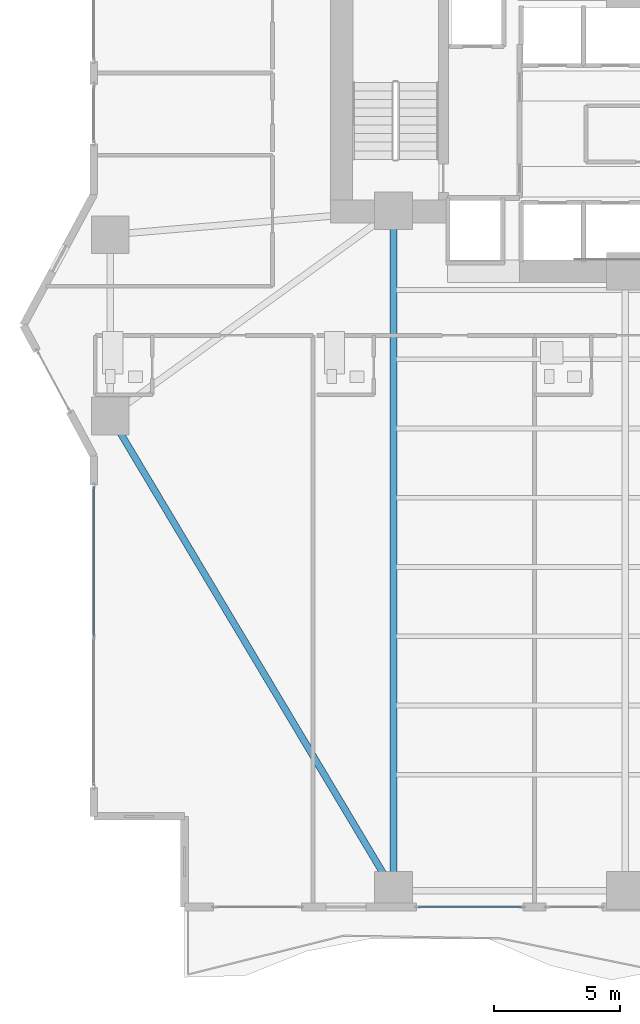
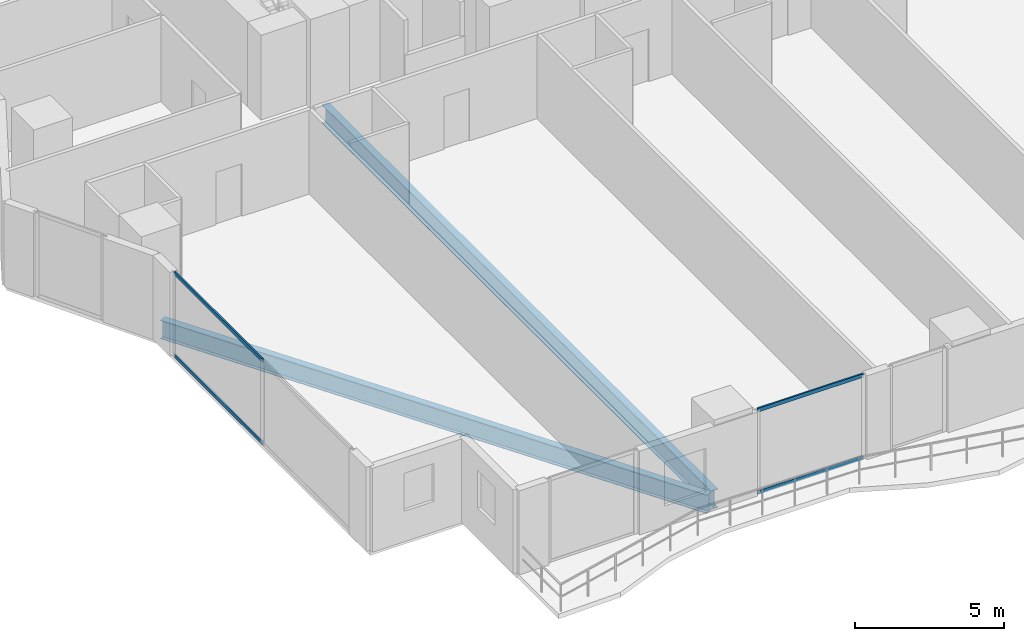
# One storey, part 3 of 29: 4 members, 2 beams, 2 elements without a shape of their own.
"""IFC4 building model written with IfcOpenShell, lengths in metres."""

from ifc_helpers import new_model, si_unit, direction, frame, origin, origin_2d, place, context, subcontext, project, spatial, hollow_rectangle, i_section, extrude, material, layer, layer_set, material_profile, profile_set, type_object, element, aggregate, save


model = new_model("IFC4")

# Units and contexts
model_context = context("Model", 3, precision=1e-05, world=origin(), true_north=direction((0.0, 1.0)))
body_context = subcontext(model_context, "Body", "Model", "MODEL_VIEW")
ifc_project = project(units=[si_unit("LENGTHUNIT", "METRE"), si_unit("AREAUNIT", "SQUARE_METRE"), si_unit("VOLUMEUNIT", "CUBIC_METRE"), si_unit("PLANEANGLEUNIT", "RADIAN"), si_unit("MASSUNIT", "GRAM", prefix="KILO")], contexts=[model_context])

# Site, building, storey
site_placement = place(None, origin())
site = spatial("IfcSite", under=ifc_project, at=site_placement, CompositionType="ELEMENT")
building_placement = place(site_placement, origin())
building = spatial("IfcBuilding", under=site, at=building_placement, Name="Zuhayl Quay Hotel", CompositionType="ELEMENT")
storey_placement = place(building_placement, frame((0.0, 0.0, 38.550048828125)))
storey = spatial("IfcBuildingStorey", under=building, at=storey_placement, Name="L08", CompositionType="ELEMENT", Elevation=38.550048828125)

# Beams
ifc_material_1 = material(Name="Steel ASTM A992 Grade 50", Category="steel")
ifc_material_profile_1 = material_profile(ifc_material_1, i_section(OverallWidth=0.26708984375, OverallDepth=0.761962890625, WebThickness=0.014404296875, FlangeThickness=0.021484375, at=origin_2d()), Name="W30X116")
ifc_profile_set_1 = profile_set([ifc_material_profile_1], Name="Steel ASTM A992 Grade 50")
beam_type = type_object("IfcBeamType", Name="BM_B1_W30X116", PredefinedType="BEAM", material=ifc_profile_set_1)
beam_1_placement = place(storey_placement, frame((-24.793701171875, -4.029296875, -0.60107421875), z_axis=(0.512482593247, -0.85869761361, 0.0), x_axis=(0.85869761361, 0.512482593247, 0.0)))
element("IfcBeam", 1, at=beam_1_placement, inside=storey, type_object=beam_type, Name="L08 Floor Beam RG_L08_12", PredefinedType="BEAM", context=body_context, shape_type="SweptSolid", body=[
    extrude(i_section(OverallWidth=0.26708984375, OverallDepth=0.761962890625, WebThickness=0.014404296875, FlangeThickness=0.021484375, at=origin_2d()), origin(), (0.0, 0.0, 1.0), 20.9521484375),
])
beam_2_placement = place(storey_placement, frame((-13.800048828125, -21.949951171875, -0.60107421875), z_axis=(0.0, 1.0, 0.0), x_axis=(-1.0, 0.0, 0.0)))
element("IfcBeam", 2, at=beam_2_placement, inside=storey, type_object=beam_type, Name="L08 Floor Beam FG_S_L08_1", PredefinedType="BEAM", context=body_context, shape_type="SweptSolid", body=[
    extrude(i_section(OverallWidth=0.26708984375, OverallDepth=0.761962890625, WebThickness=0.014404296875, FlangeThickness=0.021484375, at=origin_2d()), origin(), (0.0, 0.0, 1.0), 26.050048828125),
])

# Curtain wall, members
ifc_material_2 = material(Name="Anodised Aluminium 6063-T6", Category="aluminium")
ifc_layer = layer(ifc_material_2, 0.18994140625, Name="Anodised Aluminium 6063-T6", Category="aluminium")
ifc_layer_set = layer_set([ifc_layer], Name="Anodised Aluminium 6063-T6")
curtain_wall_type = type_object("IfcCurtainWallType", Name="CW_SYS_Z1", PredefinedType="USERDEFINED", material=ifc_layer_set)
curtain_wall_1_placement = place(storey_placement, origin())
curtain_wall_1 = element("IfcCurtainWall", 3, at=curtain_wall_1_placement, inside=storey, type_object=curtain_wall_type, Name="L08 Curtain Wall ENV_L08_E02_CW1", ObjectType="UNITISED CURTAIN WALL", PredefinedType="USERDEFINED")
ifc_material_3 = material(Name="Black-anodised aluminium 6063-T6", Category="aluminium")
ifc_material_profile_2 = material_profile(ifc_material_3, hollow_rectangle(XDim=0.06005859375, YDim=0.14990234375, WallThickness=0.00341796875, at=origin_2d()), Name="ALU150X60")
ifc_profile_set_2 = profile_set([ifc_material_profile_2], Name="Black-anodised aluminium 6063-T6")
member_type = type_object("IfcMemberType", Name="MB_CW_TRN_150", PredefinedType="USERDEFINED", material=ifc_profile_set_2)
member_1_placement = place(storey_placement, frame((-25.699951171875, -12.3125, 0.030029296875), z_axis=(0.0, 1.0, 0.0), x_axis=(-1.0, 0.0, 0.0)))
member_1 = element("IfcMember", 4, at=member_1_placement, type_object=member_type, Name="CW-Z1 transom 2.1", ObjectType="TRANSOM", PredefinedType="USERDEFINED", context=body_context, shape_type="SweptSolid", body=[
    extrude(hollow_rectangle(XDim=0.06005859375, YDim=0.14990234375, WallThickness=0.00341796875, at=origin_2d()), origin(), (0.0, 0.0, 1.0), 5.887451171875),
])
member_2_placement = place(storey_placement, frame((-25.699951171875, -12.3125, 3.39990234375), z_axis=(0.0, 1.0, 0.0), x_axis=(-1.0, 0.0, 0.0)))
member_2 = element("IfcMember", 5, at=member_2_placement, type_object=member_type, Name="CW-Z1 transom 2.2", ObjectType="TRANSOM", PredefinedType="USERDEFINED", context=body_context, shape_type="SweptSolid", body=[
    extrude(hollow_rectangle(XDim=0.06005859375, YDim=0.14990234375, WallThickness=0.00341796875, at=origin_2d()), origin(), (0.0, 0.0, 1.0), 5.887451171875),
])
aggregate(curtain_wall_1, [member_1, member_2])

curtain_wall_2_placement = place(storey_placement, origin())
curtain_wall_2 = element("IfcCurtainWall", 6, at=curtain_wall_2_placement, inside=storey, type_object=curtain_wall_type, Name="L08 Curtain Wall ENV_L08_S_CW4", ObjectType="UNITISED CURTAIN WALL", PredefinedType="USERDEFINED")
member_3_placement = place(storey_placement, frame((-8.72509765625, -23.10009765625, 0.030029296875), z_axis=(-1.0, 0.0, 0.0), x_axis=(0.0, -1.0, 0.0)))
member_3 = element("IfcMember", 7, at=member_3_placement, type_object=member_type, Name="CW-Z1 transom 1.1", ObjectType="TRANSOM", PredefinedType="USERDEFINED", context=body_context, shape_type="SweptSolid", body=[
    extrude(hollow_rectangle(XDim=0.06005859375, YDim=0.14990234375, WallThickness=0.00341796875, at=origin_2d()), origin(), (0.0, 0.0, 1.0), 4.079833984375),
])
member_4_placement = place(storey_placement, frame((-8.72509765625, -23.10009765625, 3.39990234375), z_axis=(-1.0, 0.0, 0.0), x_axis=(0.0, -1.0, 0.0)))
member_4 = element("IfcMember", 8, at=member_4_placement, type_object=member_type, Name="CW-Z1 transom 1.2", ObjectType="TRANSOM", PredefinedType="USERDEFINED", context=body_context, shape_type="SweptSolid", body=[
    extrude(hollow_rectangle(XDim=0.06005859375, YDim=0.14990234375, WallThickness=0.00341796875, at=origin_2d()), origin(), (0.0, 0.0, 1.0), 4.079833984375),
])
aggregate(curtain_wall_2, [member_3, member_4])

save(model, "model.ifc")
